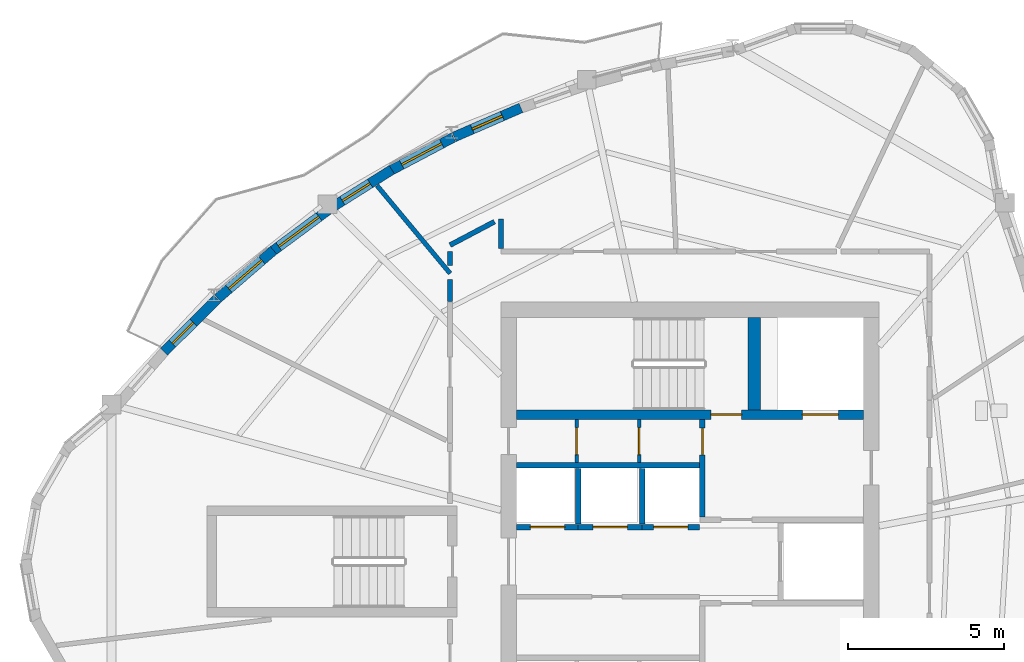
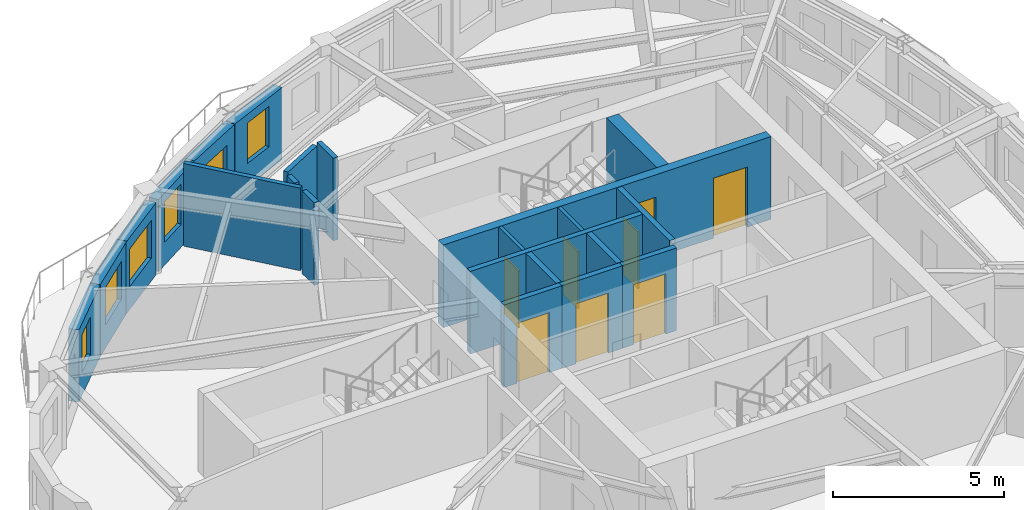
# One storey, part 5 of 11: 22 walls, 8 doors, 6 windows, 14 openings.
"""IFC4 building model written with IfcOpenShell, lengths in metres."""

from ifc_helpers import new_model, si_unit, direction, frame, frame_2d, origin, place, context, subcontext, project, spatial, rectangle, extrude, source, transform, mapped, material, layer, layer_set, type_object, element, fill, save


model = new_model("IFC4")

# Units and contexts
model_context = context("Model", 3, precision=1e-05, world=origin(), true_north=direction((0.0, 1.0)))
body_context = subcontext(model_context, "Body", "Model", "MODEL_VIEW")
ifc_project = project(units=[si_unit("LENGTHUNIT", "METRE"), si_unit("AREAUNIT", "SQUARE_METRE"), si_unit("VOLUMEUNIT", "CUBIC_METRE"), si_unit("PLANEANGLEUNIT", "RADIAN"), si_unit("MASSUNIT", "GRAM", prefix="KILO")], contexts=[model_context])

# Site, building, storey
site_placement = place(None, origin())
site = spatial("IfcSite", under=ifc_project, at=site_placement, CompositionType="ELEMENT")
building_placement = place(site_placement, origin())
building = spatial("IfcBuilding", under=site, at=building_placement, Name="Qafzar Sky-Pleat Residences", CompositionType="ELEMENT")
storey_placement = place(building_placement, frame((0.0, 0.0, 218.0)))
storey = spatial("IfcBuildingStorey", under=building, at=storey_placement, Name="L65", CompositionType="ELEMENT", Elevation=218.0)

# Walls
ifc_material_1 = material(Name="Acoustic gypsum plasterboard partition", Category="gypsum")
ifc_layer_1 = layer(ifc_material_1, 0.159912109375)
ifc_layer_set_1 = layer_set([ifc_layer_1], Name="Acoustic gypsum plasterboard partition")
wall_type_1 = type_object("IfcWallType", Name="PART-COR-160", PredefinedType="PARTITIONING", material=ifc_layer_set_1)
wall_1_placement = place(storey_placement, frame((22.679931640625, 36.1220703125, 0.0), z_axis=(0.0, 0.0, 1.0), x_axis=(0.884468554818, 0.466599802335, 0.0)))
element("IfcWall", 1, at=wall_1_placement, inside=storey, type_object=wall_type_1, Name="L65 Partition Wall PART-L65-PW-025", PredefinedType="PARTITIONING", context=body_context, shape_type="SweptSolid", body=[
    extrude(rectangle(XDim=1.603271484375, YDim=0.159912109375, at=frame_2d((0.8017578125, 0.0))), origin(), (0.0, 0.0, 1.0), 2.9599609375),
])
wall_2_placement = place(storey_placement, frame((24.300048828125, 36.008056640625, 0.0), z_axis=(0.0, 0.0, 1.0), x_axis=(0.0, 1.0, 0.0)))
element("IfcWall", 2, at=wall_2_placement, inside=storey, type_object=wall_type_1, Name="L65 Partition Wall PART-L65-PW-027", PredefinedType="PARTITIONING", context=body_context, shape_type="SweptSolid", body=[
    extrude(rectangle(XDim=0.949951171875, YDim=0.159912109375, at=frame_2d((0.47509765625, 0.0))), origin(), (0.0, 0.0, 1.0), 2.9599609375),
])
wall_3_placement = place(storey_placement, frame((22.679931640625, 34.31494140625, 0.0), z_axis=(0.0, 0.0, 1.0), x_axis=(0.0, 1.0, 0.0)))
element("IfcWall", 3, at=wall_3_placement, inside=storey, type_object=wall_type_1, Name="L65 Partition Wall PART-L65-PW-028", PredefinedType="PARTITIONING", context=body_context, shape_type="SweptSolid", body=[
    extrude(rectangle(XDim=0.70654296875, YDim=0.159912109375, at=frame_2d((0.353271484375, 0.0))), origin(), (0.0, 0.0, 1.0), 2.9599609375),
])
wall_4_placement = place(storey_placement, frame((22.679931640625, 35.471435546875, 0.0), z_axis=(0.0, 0.0, 1.0), x_axis=(0.0, 1.0, 0.0)))
element("IfcWall", 4, at=wall_4_placement, inside=storey, type_object=wall_type_1, Name="L65 Partition Wall PART-L65-PW-029", PredefinedType="PARTITIONING", context=body_context, shape_type="SweptSolid", body=[
    extrude(rectangle(XDim=0.448486328125, YDim=0.159912109375, at=frame_2d((0.22412109375, 0.0))), origin(), (0.0, 0.0, 1.0), 2.9599609375),
])

# Wall, opening, door
ifc_material_2 = material(Name="Concrete blockwork partition", Category="masonry")
ifc_layer_2 = layer(ifc_material_2, 0.179931640625)
ifc_layer_set_2 = layer_set([ifc_layer_2], Name="Concrete blockwork partition")
wall_type_2 = type_object("IfcWallType", Name="PART-SHAFT-180", PredefinedType="PARTITIONING", material=ifc_layer_set_2)
wall_5_placement = place(storey_placement, frame((30.75, 27.429931640625, 0.0), z_axis=(0.0, 0.0, 1.0), x_axis=(0.0, 1.0, 0.0)))
wall_5 = element("IfcWall", 5, at=wall_5_placement, inside=storey, type_object=wall_type_2, Name="L65 Partition Wall PART-L65-FFL2-W", PredefinedType="PARTITIONING", context=body_context, shape_type="SweptSolid", body=[
    extrude(rectangle(XDim=3.110107421875, YDim=0.179931640625, at=frame_2d((1.55517578125, 0.0))), origin(), (0.0, 0.0, 1.0), 2.9599609375),
])
opening_1_placement = place(wall_5_placement, frame((1.97998046875, 0.0, 0.0)))
opening_1 = element("IfcOpeningElement", 6, at=opening_1_placement, cuts=wall_5, Name="Opening ID-09", PredefinedType="OPENING", context=body_context, shape_type="SweptSolid", body=[
    extrude(rectangle(XDim=0.860107421875, YDim=2.050048828125, at=frame_2d((0.43017578125, 1.02490234375))), frame((0.0, 0.10009765625, 0.0), z_axis=(0.0, -1.0, 0.0), x_axis=(1.0, 0.0, 0.0)), (0.0, 0.0, 1.0), 0.199951171875),
])
ifc_material_3 = material(Name="Timber-faced fire door", Category="wood")
door_type_1 = type_object("IfcDoorType", Name="DR-SVC-860", OperationType="NOTDEFINED", PredefinedType="DOOR", material=ifc_material_3)
shared_shape_1 = source(origin(), body_context, "Body", "SweptSolid", [
    extrude(rectangle(XDim=0.860107421875, YDim=2.050048828125, at=frame_2d((0.43017578125, 1.02490234375))), frame((0.0, 0.02490234375, 0.0), z_axis=(0.0, -1.0, 0.0), x_axis=(1.0, 0.0, 0.0)), (0.0, 0.0, 1.0), 0.050048828125),
])
door_1_placement = place(opening_1_placement, origin())
door_1 = element("IfcDoor", 7, at=door_1_placement, inside=storey, type_object=door_type_1, Name="L65 North Core Cupboard Door", OperationType="SINGLE_SWING_LEFT", OverallHeight=2.050048828125, OverallWidth=0.860107421875, PredefinedType="DOOR", context=body_context, shape_type="MappedRepresentation", body=[
    mapped(shared_shape_1, transform((0.0, 0.0, 0.0), x_axis=(1.0, 0.0, 0.0), y_axis=(0.0, 1.0, 0.0), z_axis=(0.0, 0.0, 1.0), scale=1.0)),
])
fill(opening_1, door_1)

# Wall
wall_6_placement = place(storey_placement, frame((24.81005859375, 29.080078125, 0.0), z_axis=(0.0, 0.0, 1.0), x_axis=(1.0, 0.0, 0.0)))
element("IfcWall", 8, at=wall_6_placement, inside=storey, type_object=wall_type_2, Name="L65 Partition Wall PART-L65-P46-N", PredefinedType="PARTITIONING", context=body_context, shape_type="SweptSolid", body=[
    extrude(rectangle(XDim=5.83984375, YDim=0.179931640625, at=frame_2d((2.919921875, 0.0))), origin(), (0.0, 0.0, 1.0), 2.9599609375),
])

# Wall, opening, door
wall_7_placement = place(storey_placement, frame((24.81005859375, 27.10009765625, 0.0), z_axis=(0.0, 0.0, 1.0), x_axis=(1.0, 0.0, 0.0)))
wall_7 = element("IfcWall", 9, at=wall_7_placement, inside=storey, type_object=wall_type_2, Name="L65 Partition Wall PART-L65-P4-S", PredefinedType="PARTITIONING", context=body_context, shape_type="SweptSolid", body=[
    extrude(rectangle(XDim=1.96484375, YDim=0.179931640625, at=frame_2d((0.982421875, 0.0))), origin(), (0.0, 0.0, 1.0), 2.9599609375),
])
opening_2_placement = place(wall_7_placement, frame((0.4326171875, 0.0, 0.0)))
opening_2 = element("IfcOpeningElement", 10, at=opening_2_placement, cuts=wall_7, Name="Opening LD-01", PredefinedType="OPENING", context=body_context, shape_type="SweptSolid", body=[
    extrude(rectangle(XDim=1.10009765625, YDim=2.14990234375, at=frame_2d((0.550048828125, 1.074951171875))), frame((0.0, 0.10009765625, 0.0), z_axis=(0.0, -1.0, 0.0), x_axis=(1.0, 0.0, 0.0)), (0.0, 0.0, 1.0), 0.199951171875),
])
ifc_material_4 = material(Name="Stainless steel sliding landing door", Category="steel")
door_type_2 = type_object("IfcDoorType", Name="DR-LIFT-P", OperationType="DOUBLE_DOOR_SLIDING", PredefinedType="DOOR", material=ifc_material_4)
shared_shape_2 = source(origin(), body_context, "Body", "SweptSolid", [
    extrude(rectangle(XDim=1.10009765625, YDim=2.14990234375, at=frame_2d((0.550048828125, 1.074951171875))), frame((0.0, 0.02490234375, 0.0), z_axis=(0.0, -1.0, 0.0), x_axis=(1.0, 0.0, 0.0)), (0.0, 0.0, 1.0), 0.050048828125),
])
door_2_placement = place(opening_2_placement, origin())
door_2 = element("IfcDoor", 11, at=door_2_placement, inside=storey, type_object=door_type_2, Name="L65 Passenger Lift P4 Landing Door", OperationType="DOUBLE_DOOR_SLIDING", OverallHeight=2.14990234375, OverallWidth=1.10009765625, PredefinedType="DOOR", context=body_context, shape_type="MappedRepresentation", body=[
    mapped(shared_shape_2, transform((0.0, 0.0, 0.0), x_axis=(1.0, 0.0, 0.0), y_axis=(0.0, 1.0, 0.0), z_axis=(0.0, 0.0, 1.0), scale=1.0)),
])
fill(opening_2, door_2)

wall_8_placement = place(storey_placement, frame((26.77490234375, 27.10009765625, 0.0), z_axis=(0.0, 0.0, 1.0), x_axis=(1.0, 0.0, 0.0)))
wall_8 = element("IfcWall", 12, at=wall_8_placement, inside=storey, type_object=wall_type_2, Name="L65 Partition Wall PART-L65-P5-S", PredefinedType="PARTITIONING", context=body_context, shape_type="SweptSolid", body=[
    extrude(rectangle(XDim=2.050048828125, YDim=0.179931640625, at=frame_2d((1.02490234375, 0.0))), origin(), (0.0, 0.0, 1.0), 2.9599609375),
])
opening_3_placement = place(wall_8_placement, frame((0.47509765625, 0.0, 0.0)))
opening_3 = element("IfcOpeningElement", 13, at=opening_3_placement, cuts=wall_8, Name="Opening LD-01", PredefinedType="OPENING", context=body_context, shape_type="SweptSolid", body=[
    extrude(rectangle(XDim=1.10009765625, YDim=2.14990234375, at=frame_2d((0.550048828125, 1.074951171875))), frame((0.0, 0.10009765625, 0.0), z_axis=(0.0, -1.0, 0.0), x_axis=(1.0, 0.0, 0.0)), (0.0, 0.0, 1.0), 0.199951171875),
])
door_3_placement = place(opening_3_placement, origin())
door_3 = element("IfcDoor", 14, at=door_3_placement, inside=storey, type_object=door_type_2, Name="L65 Passenger Lift P5 Landing Door", OperationType="DOUBLE_DOOR_SLIDING", OverallHeight=2.14990234375, OverallWidth=1.10009765625, PredefinedType="DOOR", context=body_context, shape_type="MappedRepresentation", body=[
    mapped(shared_shape_2, transform((0.0, 0.0, 0.0), x_axis=(1.0, 0.0, 0.0), y_axis=(0.0, 1.0, 0.0), z_axis=(0.0, 0.0, 1.0), scale=1.0)),
])
fill(opening_3, door_3)

# Wall
wall_9_placement = place(storey_placement, frame((26.77490234375, 27.199951171875, 0.0), z_axis=(0.0, 0.0, 1.0), x_axis=(0.0, 1.0, 0.0)))
element("IfcWall", 15, at=wall_9_placement, inside=storey, type_object=wall_type_2, Name="L65 Partition Wall PART-L65-P46-DIV-1", PredefinedType="PARTITIONING", context=body_context, shape_type="SweptSolid", body=[
    extrude(rectangle(XDim=1.780029296875, YDim=0.179931640625, at=frame_2d((0.89013671875, 0.0))), origin(), (0.0, 0.0, 1.0), 2.9599609375),
])

# Wall, opening, door
wall_10_placement = place(storey_placement, frame((28.824951171875, 27.10009765625, 0.0), z_axis=(0.0, 0.0, 1.0), x_axis=(1.0, 0.0, 0.0)))
wall_10 = element("IfcWall", 16, at=wall_10_placement, inside=storey, type_object=wall_type_2, Name="L65 Partition Wall PART-L65-P6-S", PredefinedType="PARTITIONING", context=body_context, shape_type="SweptSolid", body=[
    extrude(rectangle(XDim=1.824951171875, YDim=0.179931640625, at=frame_2d((0.91259765625, 0.0))), origin(), (0.0, 0.0, 1.0), 2.9599609375),
])
opening_4_placement = place(wall_10_placement, frame((0.362548828125, 0.0, 0.0)))
opening_4 = element("IfcOpeningElement", 17, at=opening_4_placement, cuts=wall_10, Name="Opening LD-01", PredefinedType="OPENING", context=body_context, shape_type="SweptSolid", body=[
    extrude(rectangle(XDim=1.10009765625, YDim=2.14990234375, at=frame_2d((0.550048828125, 1.074951171875))), frame((0.0, 0.10009765625, 0.0), z_axis=(0.0, -1.0, 0.0), x_axis=(1.0, 0.0, 0.0)), (0.0, 0.0, 1.0), 0.199951171875),
])
door_4_placement = place(opening_4_placement, origin())
door_4 = element("IfcDoor", 18, at=door_4_placement, inside=storey, type_object=door_type_2, Name="L65 Passenger Lift P6 Landing Door", OperationType="DOUBLE_DOOR_SLIDING", OverallHeight=2.14990234375, OverallWidth=1.10009765625, PredefinedType="DOOR", context=body_context, shape_type="MappedRepresentation", body=[
    mapped(shared_shape_2, transform((0.0, 0.0, 0.0), x_axis=(1.0, 0.0, 0.0), y_axis=(0.0, 1.0, 0.0), z_axis=(0.0, 0.0, 1.0), scale=1.0)),
])
fill(opening_4, door_4)

# Wall
wall_11_placement = place(storey_placement, frame((28.824951171875, 27.199951171875, 0.0), z_axis=(0.0, 0.0, 1.0), x_axis=(0.0, 1.0, 0.0)))
element("IfcWall", 19, at=wall_11_placement, inside=storey, type_object=wall_type_2, Name="L65 Partition Wall PART-L65-P46-DIV-2", PredefinedType="PARTITIONING", context=body_context, shape_type="SweptSolid", body=[
    extrude(rectangle(XDim=1.780029296875, YDim=0.179931640625, at=frame_2d((0.89013671875, 0.0))), origin(), (0.0, 0.0, 1.0), 2.9599609375),
])

# Wall, opening, door
ifc_material_5 = material(Name="Gypsum plasterboard partition", Category="gypsum")
ifc_layer_3 = layer(ifc_material_5, 0.114990234375)
ifc_layer_set_3 = layer_set([ifc_layer_3], Name="Gypsum plasterboard partition")
wall_type_3 = type_object("IfcWallType", Name="PART-SVC-115", PredefinedType="PARTITIONING", material=ifc_layer_set_3)
wall_12_placement = place(storey_placement, frame((26.72509765625, 29.159912109375, 0.0), z_axis=(0.0, 0.0, 1.0), x_axis=(0.0, 1.0, 0.0)))
wall_12 = element("IfcWall", 20, at=wall_12_placement, inside=storey, type_object=wall_type_3, Name="L65 Partition Wall PART-L65-KC-NW-1", PredefinedType="PARTITIONING", context=body_context, shape_type="SweptSolid", body=[
    extrude(rectangle(XDim=1.380126953125, YDim=0.114990234375, at=frame_2d((0.68994140625, 0.0))), origin(), (0.0, 0.0, 1.0), 2.9599609375),
])
opening_5_placement = place(wall_12_placement, frame((0.260009765625, 0.0, 0.0)))
opening_5 = element("IfcOpeningElement", 21, at=opening_5_placement, cuts=wall_12, Name="Opening ID-09", PredefinedType="OPENING", context=body_context, shape_type="SweptSolid", body=[
    extrude(rectangle(XDim=0.860107421875, YDim=2.050048828125, at=frame_2d((0.43017578125, 1.02490234375))), frame((0.0, 0.0673828125, 0.0), z_axis=(0.0, -1.0, 0.0), x_axis=(1.0, 0.0, 0.0)), (0.0, 0.0, 1.0), 0.135009765625),
])
door_5_placement = place(opening_5_placement, origin())
door_5 = element("IfcDoor", 22, at=door_5_placement, inside=storey, type_object=door_type_1, Name="L65 Core North Cupboard 1 Door", OperationType="SINGLE_SWING_LEFT", OverallHeight=2.050048828125, OverallWidth=0.860107421875, PredefinedType="DOOR", context=body_context, shape_type="MappedRepresentation", body=[
    mapped(shared_shape_1, transform((0.0, 0.0, 0.0), x_axis=(1.0, 0.0, 0.0), y_axis=(0.0, 1.0, 0.0), z_axis=(0.0, 0.0, 1.0), scale=1.0)),
])
fill(opening_5, door_5)

wall_13_placement = place(storey_placement, frame((28.72509765625, 29.159912109375, 0.0), z_axis=(0.0, 0.0, 1.0), x_axis=(0.0, 1.0, 0.0)))
wall_13 = element("IfcWall", 23, at=wall_13_placement, inside=storey, type_object=wall_type_3, Name="L65 Partition Wall PART-L65-KC-NW-2", PredefinedType="PARTITIONING", context=body_context, shape_type="SweptSolid", body=[
    extrude(rectangle(XDim=1.380126953125, YDim=0.114990234375, at=frame_2d((0.68994140625, 0.0))), origin(), (0.0, 0.0, 1.0), 2.9599609375),
])
opening_6_placement = place(wall_13_placement, frame((0.260009765625, 0.0, 0.0)))
opening_6 = element("IfcOpeningElement", 24, at=opening_6_placement, cuts=wall_13, Name="Opening ID-09", PredefinedType="OPENING", context=body_context, shape_type="SweptSolid", body=[
    extrude(rectangle(XDim=0.860107421875, YDim=2.050048828125, at=frame_2d((0.43017578125, 1.02490234375))), frame((0.0, 0.0673828125, 0.0), z_axis=(0.0, -1.0, 0.0), x_axis=(1.0, 0.0, 0.0)), (0.0, 0.0, 1.0), 0.135009765625),
])
door_6_placement = place(opening_6_placement, origin())
door_6 = element("IfcDoor", 25, at=door_6_placement, inside=storey, type_object=door_type_1, Name="L65 Core North Cupboard 2 Door", OperationType="SINGLE_SWING_LEFT", OverallHeight=2.050048828125, OverallWidth=0.860107421875, PredefinedType="DOOR", context=body_context, shape_type="MappedRepresentation", body=[
    mapped(shared_shape_1, transform((0.0, 0.0, 0.0), x_axis=(1.0, 0.0, 0.0), y_axis=(0.0, 1.0, 0.0), z_axis=(0.0, 0.0, 1.0), scale=1.0)),
])
fill(opening_6, door_6)

# Wall
ifc_layer_4 = layer(ifc_material_1, 0.14501953125)
ifc_layer_set_4 = layer_set([ifc_layer_4], Name="Acoustic gypsum plasterboard partition")
wall_type_4 = type_object("IfcWallType", Name="PART-UNIT-145", PredefinedType="PARTITIONING", material=ifc_layer_set_4)
wall_14_placement = place(storey_placement, frame((20.3408203125, 38.025390625, 0.0), z_axis=(0.0, 0.0, 1.0), x_axis=(0.639731122463, -0.768598784121, 0.0)))
element("IfcWall", 26, at=wall_14_placement, inside=storey, type_object=wall_type_4, Name="L65 Partition Wall PART-L65-PW-020", PredefinedType="PARTITIONING", context=body_context, shape_type="SweptSolid", body=[
    extrude(rectangle(XDim=3.656494140625, YDim=0.14501953125, at=frame_2d((1.828125, 0.0))), origin(), (0.0, 0.0, 1.0), 2.9599609375),
])

# Wall, opening, window
ifc_material_6 = material(Name="Precast concrete C40/50 with honed Riyadh limestone", Category="concrete")
ifc_layer_5 = layer(ifc_material_6, 0.320068359375)
ifc_layer_set_5 = layer_set([ifc_layer_5], Name="Precast concrete C40/50 with honed Riyadh limestone")
wall_type_5 = type_object("IfcWallType", Name="WALL-EXT-320", PredefinedType="SOLIDWALL", material=ifc_layer_set_5)
wall_15_placement = place(storey_placement, frame((24.9453125, 40.509765625, 0.0), z_axis=(0.0, 0.0, 1.0), x_axis=(-0.917060051629, -0.39874912126, 0.0)))
wall_15 = element("IfcWall", 27, at=wall_15_placement, inside=storey, type_object=wall_type_5, Name="L65 Limestone Facade Wall 42", PredefinedType="SOLIDWALL", context=body_context, shape_type="SweptSolid", body=[
    extrude(rectangle(XDim=2.327880859375, YDim=0.320068359375, at=frame_2d((1.1640625, 0.0))), origin(), (0.0, 0.0, 1.0), 2.580078125),
])
opening_7_placement = place(wall_15_placement, frame((0.64892578125, 0.0, 0.820068359375)))
opening_7 = element("IfcOpeningElement", 28, at=opening_7_placement, cuts=wall_15, Name="Opening WN-06", PredefinedType="OPENING", context=body_context, shape_type="SweptSolid", body=[
    extrude(rectangle(XDim=1.050048828125, YDim=1.449951171875, at=frame_2d((0.52490234375, 0.72509765625))), frame((0.0, 0.169921875, 0.0), z_axis=(0.0, -1.0, 0.0), x_axis=(1.0, 0.0, 0.0)), (0.0, 0.0, 1.0), 0.340087890625),
])
ifc_material_7 = material(Name="Solar-control low-E glass in bronze aluminium frame", Category="glass")
window_type_1 = type_object("IfcWindowType", Name="WIN-06", PartitioningType="SINGLE_PANEL", PredefinedType="WINDOW", material=ifc_material_7)
shared_shape_3 = source(origin(), body_context, "Body", "SweptSolid", [
    extrude(rectangle(XDim=1.050048828125, YDim=1.449951171875, at=frame_2d((0.52490234375, 0.72509765625))), frame((0.0, 0.030029296875, 0.0), z_axis=(0.0, -1.0, 0.0), x_axis=(1.0, 0.0, 0.0)), (0.0, 0.0, 1.0), 0.06005859375),
])
window_1_placement = place(opening_7_placement, origin())
window_1 = element("IfcWindow", 29, at=window_1_placement, inside=storey, type_object=window_type_1, Name="L65 Punched Facade Window 42", OverallHeight=1.449951171875, OverallWidth=1.050048828125, PartitioningType="SINGLE_PANEL", PredefinedType="WINDOW", context=body_context, shape_type="MappedRepresentation", body=[
    mapped(shared_shape_3, transform((0.0, 0.0, 0.0), x_axis=(1.0, 0.0, 0.0), y_axis=(0.0, 1.0, 0.0), z_axis=(0.0, 0.0, 1.0), scale=1.0)),
])
fill(opening_7, window_1)

wall_16_placement = place(storey_placement, frame((22.785400390625, 39.569580078125, 0.0), z_axis=(0.0, 0.0, 1.0), x_axis=(-0.884379914657, -0.466767786541, 0.0)))
wall_16 = element("IfcWall", 30, at=wall_16_placement, inside=storey, type_object=wall_type_5, Name="L65 Limestone Facade Wall 43", PredefinedType="SOLIDWALL", context=body_context, shape_type="SweptSolid", body=[
    extrude(rectangle(XDim=2.314453125, YDim=0.320068359375, at=frame_2d((1.1572265625, 0.0))), origin(), (0.0, 0.0, 1.0), 2.580078125),
])
opening_8_placement = place(wall_16_placement, frame((0.42236328125, 0.0, 0.820068359375)))
opening_8 = element("IfcOpeningElement", 31, at=opening_8_placement, cuts=wall_16, Name="Opening WN-15", PredefinedType="OPENING", context=body_context, shape_type="SweptSolid", body=[
    extrude(rectangle(XDim=1.449951171875, YDim=1.25, at=frame_2d((0.72509765625, 0.625))), frame((0.0, 0.169921875, 0.0), z_axis=(0.0, -1.0, 0.0), x_axis=(1.0, 0.0, 0.0)), (0.0, 0.0, 1.0), 0.340087890625),
])
window_type_2 = type_object("IfcWindowType", Name="WIN-15", PartitioningType="SINGLE_PANEL", PredefinedType="WINDOW", material=ifc_material_7)
shared_shape_4 = source(origin(), body_context, "Body", "SweptSolid", [
    extrude(rectangle(XDim=1.449951171875, YDim=1.25, at=frame_2d((0.72509765625, 0.625))), frame((0.0, 0.030029296875, 0.0), z_axis=(0.0, -1.0, 0.0), x_axis=(1.0, 0.0, 0.0)), (0.0, 0.0, 1.0), 0.06005859375),
])
window_2_placement = place(opening_8_placement, origin())
window_2 = element("IfcWindow", 32, at=window_2_placement, inside=storey, type_object=window_type_2, Name="L65 Punched Facade Window 43", OverallHeight=1.25, OverallWidth=1.449951171875, PartitioningType="SINGLE_PANEL", PredefinedType="WINDOW", context=body_context, shape_type="MappedRepresentation", body=[
    mapped(shared_shape_4, transform((0.0, 0.0, 0.0), x_axis=(1.0, 0.0, 0.0), y_axis=(0.0, 1.0, 0.0), z_axis=(0.0, 0.0, 1.0), scale=1.0)),
])
fill(opening_8, window_2)

wall_17_placement = place(storey_placement, frame((20.814697265625, 38.533203125, 0.0), z_axis=(0.0, 0.0, 1.0), x_axis=(-0.846418054627, -0.532518991963, 0.0)))
wall_17 = element("IfcWall", 33, at=wall_17_placement, inside=storey, type_object=wall_type_5, Name="L65 Limestone Facade Wall 44", PredefinedType="SOLIDWALL", context=body_context, shape_type="SweptSolid", body=[
    extrude(rectangle(XDim=2.24462890625, YDim=0.320068359375, at=frame_2d((1.122314453125, 0.0))), origin(), (0.0, 0.0, 1.0), 2.580078125),
])
opening_9_placement = place(wall_17_placement, frame((0.81982421875, 0.0, 0.820068359375)))
opening_9 = element("IfcOpeningElement", 34, at=opening_9_placement, cuts=wall_17, Name="Opening WN-06", PredefinedType="OPENING", context=body_context, shape_type="SweptSolid", body=[
    extrude(rectangle(XDim=1.050048828125, YDim=1.449951171875, at=frame_2d((0.52490234375, 0.72509765625))), frame((0.0, 0.169921875, 0.0), z_axis=(0.0, -1.0, 0.0), x_axis=(1.0, 0.0, 0.0)), (0.0, 0.0, 1.0), 0.340087890625),
])
window_3_placement = place(opening_9_placement, origin())
window_3 = element("IfcWindow", 35, at=window_3_placement, inside=storey, type_object=window_type_1, Name="L65 Punched Facade Window 44-2", OverallHeight=1.449951171875, OverallWidth=1.050048828125, PartitioningType="SINGLE_PANEL", PredefinedType="WINDOW", context=body_context, shape_type="MappedRepresentation", body=[
    mapped(shared_shape_3, transform((0.0, 0.0, 0.0), x_axis=(1.0, 0.0, 0.0), y_axis=(0.0, 1.0, 0.0), z_axis=(0.0, 0.0, 1.0), scale=1.0)),
])
fill(opening_9, window_3)

wall_18_placement = place(storey_placement, frame((18.7763671875, 37.243408203125, 0.0), z_axis=(0.0, 0.0, 1.0), x_axis=(-0.803798468353, -0.594901691267, 0.0)))
wall_18 = element("IfcWall", 36, at=wall_18_placement, inside=storey, type_object=wall_type_5, Name="L65 Limestone Facade Wall 45", PredefinedType="SOLIDWALL", context=body_context, shape_type="SweptSolid", body=[
    extrude(rectangle(XDim=2.258056640625, YDim=0.320068359375, at=frame_2d((1.12890625, 0.0))), origin(), (0.0, 0.0, 1.0), 2.580078125),
])
opening_10_placement = place(wall_18_placement, frame((0.364013671875, 0.0, 0.820068359375)))
opening_10 = element("IfcOpeningElement", 37, at=opening_10_placement, cuts=wall_18, Name="Opening WN-09", PredefinedType="OPENING", context=body_context, shape_type="SweptSolid", body=[
    extrude(rectangle(XDim=1.60009765625, YDim=1.35009765625, at=frame_2d((0.800048828125, 0.675048828125))), frame((0.0, 0.169921875, 0.0), z_axis=(0.0, -1.0, 0.0), x_axis=(1.0, 0.0, 0.0)), (0.0, 0.0, 1.0), 0.340087890625),
])
window_type_3 = type_object("IfcWindowType", Name="WIN-09", PartitioningType="DOUBLE_PANEL_VERTICAL", PredefinedType="WINDOW", material=ifc_material_7)
shared_shape_5 = source(origin(), body_context, "Body", "SweptSolid", [
    extrude(rectangle(XDim=1.60009765625, YDim=1.35009765625, at=frame_2d((0.800048828125, 0.675048828125))), frame((0.0, 0.030029296875, 0.0), z_axis=(0.0, -1.0, 0.0), x_axis=(1.0, 0.0, 0.0)), (0.0, 0.0, 1.0), 0.06005859375),
])
window_4_placement = place(opening_10_placement, origin())
window_4 = element("IfcWindow", 38, at=window_4_placement, inside=storey, type_object=window_type_3, Name="L65 Punched Facade Window 45", OverallHeight=1.35009765625, OverallWidth=1.60009765625, PartitioningType="SINGLE_PANEL", PredefinedType="WINDOW", context=body_context, shape_type="MappedRepresentation", body=[
    mapped(shared_shape_5, transform((0.0, 0.0, 0.0), x_axis=(1.0, 0.0, 0.0), y_axis=(0.0, 1.0, 0.0), z_axis=(0.0, 0.0, 1.0), scale=1.0)),
])
fill(opening_10, window_4)

wall_19_placement = place(storey_placement, frame((17.030029296875, 35.955078125, 0.0), z_axis=(0.0, 0.0, 1.0), x_axis=(-0.757489541562, -0.652847297937, 0.0)))
wall_19 = element("IfcWall", 39, at=wall_19_placement, inside=storey, type_object=wall_type_5, Name="L65 Limestone Facade Wall 46", PredefinedType="SOLIDWALL", context=body_context, shape_type="SweptSolid", body=[
    extrude(rectangle(XDim=2.35400390625, YDim=0.320068359375, at=frame_2d((1.177001953125, 0.0))), origin(), (0.0, 0.0, 1.0), 2.580078125),
])
opening_11_placement = place(wall_19_placement, frame((0.487060546875, 0.0, 0.820068359375)))
opening_11 = element("IfcOpeningElement", 40, at=opening_11_placement, cuts=wall_19, Name="Opening WN-10", PredefinedType="OPENING", context=body_context, shape_type="SweptSolid", body=[
    extrude(rectangle(XDim=1.39990234375, YDim=1.35009765625, at=frame_2d((0.699951171875, 0.675048828125))), frame((0.0, 0.169921875, 0.0), z_axis=(0.0, -1.0, 0.0), x_axis=(1.0, 0.0, 0.0)), (0.0, 0.0, 1.0), 0.340087890625),
])
window_type_4 = type_object("IfcWindowType", Name="WIN-10", PartitioningType="SINGLE_PANEL", PredefinedType="WINDOW", material=ifc_material_7)
shared_shape_6 = source(origin(), body_context, "Body", "SweptSolid", [
    extrude(rectangle(XDim=1.39990234375, YDim=1.35009765625, at=frame_2d((0.699951171875, 0.675048828125))), frame((0.0, 0.030029296875, 0.0), z_axis=(0.0, -1.0, 0.0), x_axis=(1.0, 0.0, 0.0)), (0.0, 0.0, 1.0), 0.06005859375),
])
window_5_placement = place(opening_11_placement, origin())
window_5 = element("IfcWindow", 41, at=window_5_placement, inside=storey, type_object=window_type_4, Name="L65 Punched Facade Window 46", OverallHeight=1.35009765625, OverallWidth=1.39990234375, PartitioningType="SINGLE_PANEL", PredefinedType="WINDOW", context=body_context, shape_type="MappedRepresentation", body=[
    mapped(shared_shape_6, transform((0.0, 0.0, 0.0), x_axis=(1.0, 0.0, 0.0), y_axis=(0.0, 1.0, 0.0), z_axis=(0.0, 0.0, 1.0), scale=1.0)),
])
fill(opening_11, window_5)

wall_20_placement = place(storey_placement, frame((15.22607421875, 34.398681640625, 0.0), z_axis=(0.0, 0.0, 1.0), x_axis=(-0.708431997636, -0.705779076429, 0.0)))
wall_20 = element("IfcWall", 42, at=wall_20_placement, inside=storey, type_object=wall_type_5, Name="L65 Limestone Facade Wall 47", PredefinedType="SOLIDWALL", context=body_context, shape_type="SweptSolid", body=[
    extrude(rectangle(XDim=2.392822265625, YDim=0.320068359375, at=frame_2d((1.1962890625, 0.0))), origin(), (0.0, 0.0, 1.0), 2.580078125),
])
opening_12_placement = place(wall_20_placement, frame((1.070068359375, 0.0, 0.820068359375)))
opening_12 = element("IfcOpeningElement", 43, at=opening_12_placement, cuts=wall_20, Name="Opening WN-12", PredefinedType="OPENING", context=body_context, shape_type="SweptSolid", body=[
    extrude(rectangle(XDim=0.949951171875, YDim=1.35009765625, at=frame_2d((0.47509765625, 0.675048828125))), frame((0.0, 0.169921875, 0.0), z_axis=(0.0, -1.0, 0.0), x_axis=(1.0, 0.0, 0.0)), (0.0, 0.0, 1.0), 0.340087890625),
])
window_type_5 = type_object("IfcWindowType", Name="WIN-12", PartitioningType="SINGLE_PANEL", PredefinedType="WINDOW", material=ifc_material_7)
shared_shape_7 = source(origin(), body_context, "Body", "SweptSolid", [
    extrude(rectangle(XDim=0.949951171875, YDim=1.35009765625, at=frame_2d((0.47509765625, 0.675048828125))), frame((0.0, 0.030029296875, 0.0), z_axis=(0.0, -1.0, 0.0), x_axis=(1.0, 0.0, 0.0)), (0.0, 0.0, 1.0), 0.06005859375),
])
window_6_placement = place(opening_12_placement, origin())
window_6 = element("IfcWindow", 44, at=window_6_placement, inside=storey, type_object=window_type_5, Name="L65 Punched Facade Window 47-2", OverallHeight=1.35009765625, OverallWidth=0.949951171875, PartitioningType="SINGLE_PANEL", PredefinedType="WINDOW", context=body_context, shape_type="MappedRepresentation", body=[
    mapped(shared_shape_7, transform((0.0, 0.0, 0.0), x_axis=(1.0, 0.0, 0.0), y_axis=(0.0, 1.0, 0.0), z_axis=(0.0, 0.0, 1.0), scale=1.0)),
])
fill(opening_12, window_6)

# Wall, openings, doors
ifc_material_8 = material(Name="Concrete C60/75", Category="concrete")
ifc_layer_6 = layer(ifc_material_8, 0.300048828125)
ifc_layer_set_6 = layer_set([ifc_layer_6], Name="Concrete C60/75")
wall_type_6 = type_object("IfcWallType", Name="WALL-SHEAR-300", PredefinedType="SHEAR", material=ifc_layer_set_6)
wall_21_placement = place(storey_placement, frame((24.800048828125, 30.699951171875, 0.0), z_axis=(0.0, 0.0, 1.0), x_axis=(1.0, 0.0, 0.0)))
wall_21 = element("IfcWall", 45, at=wall_21_placement, inside=storey, type_object=wall_type_6, Name="L65 Stair ST2 and FF2 Shaft South Wall", PredefinedType="SHEAR", context=body_context, shape_type="SweptSolid", body=[
    extrude(rectangle(XDim=11.099853515625, YDim=0.300048828125, at=frame_2d((5.5498046875, 0.0))), origin(), (0.0, 0.0, 1.0), 2.9599609375),
])
opening_13_placement = place(wall_21_placement, frame((6.219970703125, 0.0, 0.0)))
opening_13 = element("IfcOpeningElement", 46, at=opening_13_placement, cuts=wall_21, Name="Opening ID-01", PredefinedType="OPENING", context=body_context, shape_type="SweptSolid", body=[
    extrude(rectangle(XDim=0.97998046875, YDim=2.14990234375, at=frame_2d((0.489990234375, 1.074951171875))), frame((0.0, 0.16015625, 0.0), z_axis=(0.0, -1.0, 0.0), x_axis=(1.0, 0.0, 0.0)), (0.0, 0.0, 1.0), 0.320068359375),
])
opening_14_placement = place(wall_21_placement, frame((9.14990234375, 0.0, 0.0)))
opening_14 = element("IfcOpeningElement", 47, at=opening_14_placement, cuts=wall_21, Name="Opening LD-02", PredefinedType="OPENING", context=body_context, shape_type="SweptSolid", body=[
    extrude(rectangle(XDim=1.14990234375, YDim=2.14990234375, at=frame_2d((0.574951171875, 1.074951171875))), frame((0.0, 0.16015625, 0.0), z_axis=(0.0, -1.0, 0.0), x_axis=(1.0, 0.0, 0.0)), (0.0, 0.0, 1.0), 0.320068359375),
])
door_type_3 = type_object("IfcDoorType", Name="DR-STAIR-980", OperationType="NOTDEFINED", PredefinedType="DOOR", material=ifc_material_3)
shared_shape_8 = source(origin(), body_context, "Body", "SweptSolid", [
    extrude(rectangle(XDim=0.97998046875, YDim=2.14990234375, at=frame_2d((0.489990234375, 1.074951171875))), frame((0.0, 0.02490234375, 0.0), z_axis=(0.0, -1.0, 0.0), x_axis=(1.0, 0.0, 0.0)), (0.0, 0.0, 1.0), 0.050048828125),
])
door_7_placement = place(opening_13_placement, origin())
door_7 = element("IfcDoor", 48, at=door_7_placement, inside=storey, type_object=door_type_3, Name="L65 Stair ST2 Fire Door", OperationType="SINGLE_SWING_LEFT", OverallHeight=2.14990234375, OverallWidth=0.97998046875, PredefinedType="DOOR", context=body_context, shape_type="MappedRepresentation", body=[
    mapped(shared_shape_8, transform((0.0, 0.0, 0.0), x_axis=(1.0, 0.0, 0.0), y_axis=(0.0, 1.0, 0.0), z_axis=(0.0, 0.0, 1.0), scale=1.0)),
])
fill(opening_13, door_7)
door_type_4 = type_object("IfcDoorType", Name="DR-LIFT-FF", OperationType="DOUBLE_DOOR_SLIDING", PredefinedType="DOOR", material=ifc_material_4)
shared_shape_9 = source(origin(), body_context, "Body", "SweptSolid", [
    extrude(rectangle(XDim=1.14990234375, YDim=2.14990234375, at=frame_2d((0.574951171875, 1.074951171875))), frame((0.0, 0.02490234375, 0.0), z_axis=(0.0, -1.0, 0.0), x_axis=(1.0, 0.0, 0.0)), (0.0, 0.0, 1.0), 0.050048828125),
])
door_8_placement = place(opening_14_placement, origin())
door_8 = element("IfcDoor", 49, at=door_8_placement, inside=storey, type_object=door_type_4, Name="L65 Firefighting Lift FF2 Landing Door", OperationType="DOUBLE_DOOR_SLIDING", OverallHeight=2.14990234375, OverallWidth=1.14990234375, PredefinedType="DOOR", context=body_context, shape_type="MappedRepresentation", body=[
    mapped(shared_shape_9, transform((0.0, 0.0, 0.0), x_axis=(1.0, 0.0, 0.0), y_axis=(0.0, 1.0, 0.0), z_axis=(0.0, 0.0, 1.0), scale=1.0)),
])
fill(opening_14, door_8)

# Wall
ifc_layer_7 = layer(ifc_material_8, 0.39990234375)
ifc_layer_set_7 = layer_set([ifc_layer_7], Name="Concrete C60/75")
wall_type_7 = type_object("IfcWallType", Name="WALL-SHEAR-400", PredefinedType="SHEAR", material=ifc_layer_set_7)
wall_22_placement = place(storey_placement, frame((32.39990234375, 30.85009765625, 0.0), z_axis=(0.0, 0.0, 1.0), x_axis=(0.0, 1.0, 0.0)))
element("IfcWall", 50, at=wall_22_placement, inside=storey, type_object=wall_type_7, Name="L65 Stair ST2 East Dividing Wall", PredefinedType="SHEAR", context=body_context, shape_type="SweptSolid", body=[
    extrude(rectangle(XDim=2.949951171875, YDim=0.39990234375, at=frame_2d((1.47509765625, 0.0))), origin(), (0.0, 0.0, 1.0), 2.9599609375),
])

save(model, "model.ifc")
